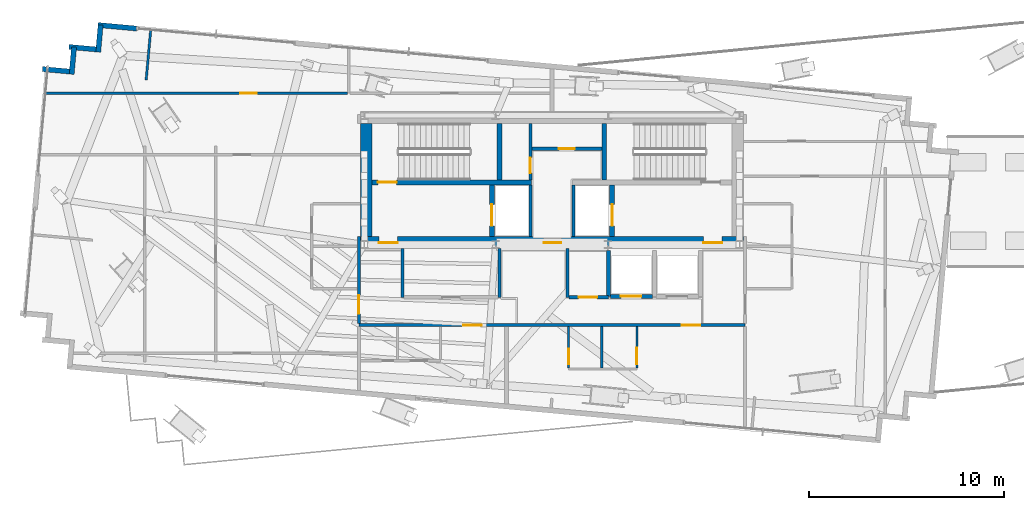
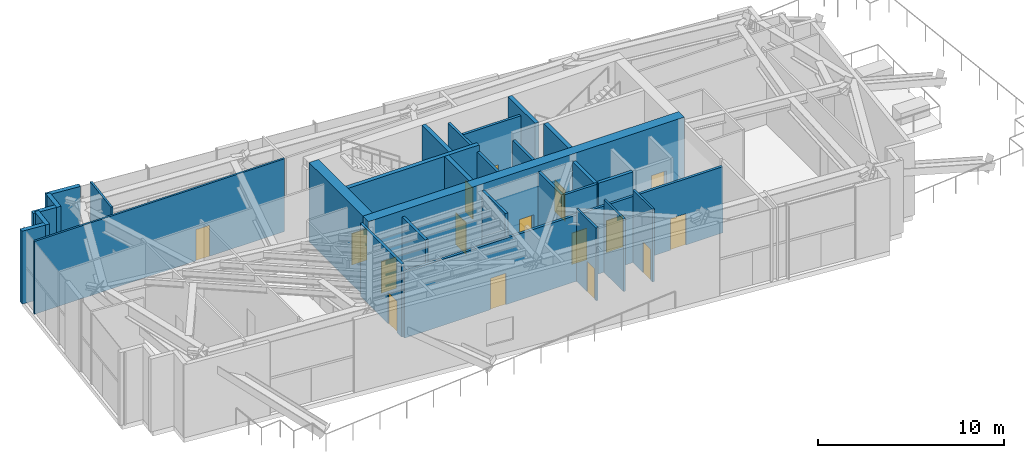
# One storey, part 14 of 20: 29 walls, 16 doors, 16 openings.
"""IFC4 building model written with IfcOpenShell, lengths in metres."""

from ifc_helpers import new_model, si_unit, direction, frame, frame_2d, origin, place, context, subcontext, project, spatial, rectangle, extrude, source, transform, mapped, material, layer, layer_set, type_object, type_shapes, element, fill, save


model = new_model("IFC4")

# Units and contexts
model_context = context("Model", 3, precision=1e-05, world=origin(), true_north=direction((0.0, 1.0)))
body_context = subcontext(model_context, "Body", "Model", "MODEL_VIEW")
ifc_project = project(units=[si_unit("LENGTHUNIT", "METRE"), si_unit("AREAUNIT", "SQUARE_METRE"), si_unit("VOLUMEUNIT", "CUBIC_METRE"), si_unit("PLANEANGLEUNIT", "RADIAN"), si_unit("MASSUNIT", "GRAM", prefix="KILO")], contexts=[model_context])

# Site, building, storey
site_placement = place(None, origin())
site = spatial("IfcSite", under=ifc_project, at=site_placement, CompositionType="ELEMENT")
building_placement = place(site_placement, origin())
building = spatial("IfcBuilding", under=site, at=building_placement, Name="Astriad Promenade Condominiums", CompositionType="ELEMENT")
storey_placement = place(building_placement, frame((0.0, 0.0, 211.39990234375)))
storey = spatial("IfcBuildingStorey", under=building, at=storey_placement, Name="L61", CompositionType="ELEMENT", Elevation=211.39990234375)

# Wall, openings, doors
ifc_material_1 = material(Name="Concrete C50/60", Category="concrete")
ifc_layer_1 = layer(ifc_material_1, 0.60009765625)
ifc_layer_set_1 = layer_set([ifc_layer_1], Name="Concrete C50/60")
wall_type_1 = type_object("IfcWallType", Name="CW-SHEAR-600", PredefinedType="SHEAR", material=ifc_layer_set_1)
wall_1_placement = place(storey_placement, frame((26.199951171875, 17.5, 0.0), z_axis=(0.0, 0.0, 1.0), x_axis=(1.0, 0.0, 0.0)))
wall_1 = element("IfcWall", 1, at=wall_1_placement, inside=storey, type_object=wall_type_1, Name="CW-CORE-S-L61", PredefinedType="SHEAR", context=body_context, shape_type="SweptSolid", body=[
    extrude(rectangle(XDim=19.60009765625, YDim=0.60009765625, at=frame_2d((9.800048828125, 0.0))), origin(), (0.0, 0.0, 1.0), 5.2001953125),
])
opening_1_placement = place(wall_1_placement, frame((0.949951171875, 0.0, 0.0)))
opening_1 = element("IfcOpeningElement", 2, at=opening_1_placement, cuts=wall_1, Name="Opening FD90-ST-095", PredefinedType="OPENING", context=body_context, shape_type="SweptSolid", body=[
    extrude(rectangle(XDim=0.949951171875, YDim=2.06005859375, at=frame_2d((0.47509765625, 1.030029296875))), frame((0.0, 0.31005859375, 0.0), z_axis=(0.0, -1.0, 0.0), x_axis=(1.0, 0.0, 0.0)), (0.0, 0.0, 1.0), 0.6201171875),
])
opening_2_placement = place(wall_1_placement, frame((9.3798828125, 0.0, 0.0)))
opening_2 = element("IfcOpeningElement", 3, at=opening_2_placement, cuts=wall_1, Name="Opening FD60-CSL-090", PredefinedType="OPENING", context=body_context, shape_type="SweptSolid", body=[
    extrude(rectangle(XDim=0.89990234375, YDim=2.06005859375, at=frame_2d((0.449951171875, 1.030029296875))), frame((0.0, 0.31005859375, 0.0), z_axis=(0.0, -1.0, 0.0), x_axis=(1.0, 0.0, 0.0)), (0.0, 0.0, 1.0), 0.6201171875),
])
opening_3_placement = place(wall_1_placement, frame((17.550048828125, 0.0, 0.0)))
opening_3 = element("IfcOpeningElement", 4, at=opening_3_placement, cuts=wall_1, Name="Opening FD90-ST-095", PredefinedType="OPENING", context=body_context, shape_type="SweptSolid", body=[
    extrude(rectangle(XDim=0.949951171875, YDim=2.06005859375, at=frame_2d((0.47509765625, 1.030029296875))), frame((0.0, 0.31005859375, 0.0), z_axis=(0.0, -1.0, 0.0), x_axis=(1.0, 0.0, 0.0)), (0.0, 0.0, 1.0), 0.6201171875),
])
ifc_material_2 = material(Name="Fire-Rated Hollow Metal Stair Door")
door_type_1 = type_object("IfcDoorType", Name="FD90-ST-095", OperationType="NOTDEFINED", PredefinedType="DOOR", material=ifc_material_2)
shared_shape_1 = source(origin(), body_context, "Body", "SweptSolid", [
    extrude(rectangle(XDim=0.949951171875, YDim=2.06005859375, at=frame_2d((0.47509765625, 1.030029296875))), frame((0.0, 0.02490234375, 0.0), z_axis=(0.0, -1.0, 0.0), x_axis=(1.0, 0.0, 0.0)), (0.0, 0.0, 1.0), 0.050048828125),
])
type_shapes(door_type_1, [shared_shape_1])
door_1_placement = place(opening_1_placement, origin())
door_1 = element("IfcDoor", 5, at=door_1_placement, inside=storey, type_object=door_type_1, Name="D-FFW-L61", OperationType="SINGLE_SWING_LEFT", OverallHeight=2.06005859375, OverallWidth=0.949951171875, PredefinedType="DOOR", context=body_context, shape_type="MappedRepresentation", body=[
    mapped(shared_shape_1, transform((0.0, 0.0, 0.0), scale=1.0)),
])
fill(opening_1, door_1)
door_2_placement = place(opening_3_placement, origin())
door_2 = element("IfcDoor", 6, at=door_2_placement, inside=storey, type_object=door_type_1, Name="D-FFE-L61", OperationType="SINGLE_SWING_RIGHT", OverallHeight=2.06005859375, OverallWidth=0.949951171875, PredefinedType="DOOR", context=body_context, shape_type="MappedRepresentation", body=[
    mapped(shared_shape_1, transform((0.0, 0.0, 0.0), scale=1.0)),
])
fill(opening_3, door_2)
ifc_material_3 = material(Name="Fire-Rated Service Lobby Door")
door_type_2 = type_object("IfcDoorType", Name="FD60-CSL-090", OperationType="NOTDEFINED", PredefinedType="DOOR", material=ifc_material_3)
shared_shape_2 = source(origin(), body_context, "Body", "SweptSolid", [
    extrude(rectangle(XDim=0.89990234375, YDim=2.06005859375, at=frame_2d((0.449951171875, 1.030029296875))), frame((0.0, 0.02490234375, 0.0), z_axis=(0.0, -1.0, 0.0), x_axis=(1.0, 0.0, 0.0)), (0.0, 0.0, 1.0), 0.050048828125),
])
type_shapes(door_type_2, [shared_shape_2])
door_3_placement = place(opening_2_placement, origin())
door_3 = element("IfcDoor", 7, at=door_3_placement, inside=storey, type_object=door_type_2, Name="D-CSL-L61", OperationType="SINGLE_SWING_RIGHT", OverallHeight=2.06005859375, OverallWidth=0.89990234375, PredefinedType="DOOR", context=body_context, shape_type="MappedRepresentation", body=[
    mapped(shared_shape_2, transform((0.0, 0.0, 0.0), scale=1.0)),
])
fill(opening_2, door_3)

# Wall
wall_2_placement = place(storey_placement, frame((26.5, 17.802001953125, 0.0), z_axis=(0.0, 0.0, 1.0), x_axis=(0.0, 1.0, 0.0)))
element("IfcWall", 8, at=wall_2_placement, inside=storey, type_object=wall_type_1, Name="CW-CORE-W-L61", PredefinedType="SHEAR", context=body_context, shape_type="SweptSolid", body=[
    extrude(rectangle(XDim=5.7958984375, YDim=0.60009765625, at=frame_2d((2.89794921875, 0.0))), origin(), (0.0, 0.0, 1.0), 5.2001953125),
])

# Wall, opening, door
ifc_layer_2 = layer(ifc_material_1, 0.25)
ifc_layer_set_2 = layer_set([ifc_layer_2], Name="Concrete C50/60")
wall_type_2 = type_object("IfcWallType", Name="WALL-CORE-INT-250", PredefinedType="SOLIDWALL", material=ifc_layer_set_2)
wall_3_placement = place(storey_placement, frame((26.802001953125, 20.574951171875, 0.0), z_axis=(0.0, 0.0, 1.0), x_axis=(1.0, 0.0, 0.0)))
wall_3 = element("IfcWall", 9, at=wall_3_placement, inside=storey, type_object=wall_type_2, Name="CW-INT-H1-L61", PredefinedType="SOLIDWALL", context=body_context, shape_type="SweptSolid", body=[
    extrude(rectangle(XDim=8.14794921875, YDim=0.25, at=frame_2d((4.073974609375, 0.0))), origin(), (0.0, 0.0, 1.0), 5.2001953125),
])
opening_4_placement = place(wall_3_placement, frame((0.298095703125, 0.0, 0.0)))
opening_4 = element("IfcOpeningElement", 10, at=opening_4_placement, cuts=wall_3, Name="Opening FD90-ST-095", PredefinedType="OPENING", context=body_context, shape_type="SweptSolid", body=[
    extrude(rectangle(XDim=0.949951171875, YDim=2.06005859375, at=frame_2d((0.47509765625, 1.030029296875))), frame((0.0, 0.135009765625, 0.0), z_axis=(0.0, -1.0, 0.0), x_axis=(1.0, 0.0, 0.0)), (0.0, 0.0, 1.0), 0.27001953125),
])
door_4_placement = place(opening_4_placement, origin())
door_4 = element("IfcDoor", 11, at=door_4_placement, inside=storey, type_object=door_type_1, Name="D-ST1-L61", OperationType="SINGLE_SWING_LEFT", OverallHeight=2.06005859375, OverallWidth=0.949951171875, PredefinedType="DOOR", context=body_context, shape_type="MappedRepresentation", body=[
    mapped(shared_shape_1, transform((0.0, 0.0, 0.0), scale=1.0)),
])
fill(opening_4, door_4)

# Walls
for number, where, z_axis, x_axis, name in (
    (12, (33.324951171875, 20.701904296875, 0.0), (0.0, 0.0, 1.0), (0.0, 1.0, 0.0), "CW-ST1-E-L61"),
    (13, (38.675048828125, 20.701904296875, 0.0), (0.0, 0.0, 1.0), (0.0, 1.0, 0.0), "CW-ST2-W-L61"),
):
    element("IfcWall", number, at=place(storey_placement, frame(where, z_axis=z_axis, x_axis=x_axis)), inside=storey, type_object=wall_type_2, Name=name, PredefinedType="SOLIDWALL", context=body_context, shape_type="SweptSolid", body=[
        extrude(rectangle(XDim=2.89599609375, YDim=0.25, at=frame_2d((1.447998046875, 0.0))), origin(), (0.0, 0.0, 1.0), 5.2001953125),
    ])

# Wall, opening, door
wall_4_placement = place(storey_placement, frame((32.925048828125, 17.802001953125, 0.0), z_axis=(0.0, 0.0, 1.0), x_axis=(0.0, 1.0, 0.0)))
wall_4 = element("IfcWall", 14, at=wall_4_placement, inside=storey, type_object=wall_type_2, Name="CW-FFL1-W-L61", PredefinedType="SOLIDWALL", context=body_context, shape_type="SweptSolid", body=[
    extrude(rectangle(XDim=2.64599609375, YDim=0.25, at=frame_2d((1.322998046875, 0.0))), origin(), (0.0, 0.0, 1.0), 5.2001953125),
])
opening_5_placement = place(wall_4_placement, frame((0.548095703125, 0.0, 0.0)))
opening_5 = element("IfcOpeningElement", 15, at=opening_5_placement, cuts=wall_4, Name="Opening LD-FFL-1122", PredefinedType="OPENING", context=body_context, shape_type="SweptSolid", body=[
    extrude(rectangle(XDim=1.10009765625, YDim=2.080078125, at=frame_2d((0.550048828125, 1.0400390625))), frame((0.0, 0.135009765625, 0.0), z_axis=(0.0, -1.0, 0.0), x_axis=(1.0, 0.0, 0.0)), (0.0, 0.0, 1.0), 0.27001953125),
])
ifc_material_4 = material(Name="Brushed Stainless Steel Fire Elevator Landing Door", Category="steel")
door_type_3 = type_object("IfcDoorType", Name="LD-FFL-1122", OperationType="NOTDEFINED", PredefinedType="DOOR", material=ifc_material_4)
shared_shape_3 = source(origin(), body_context, "Body", "SweptSolid", [
    extrude(rectangle(XDim=1.10009765625, YDim=2.080078125, at=frame_2d((0.550048828125, 1.0400390625))), frame((0.0, 0.02490234375, 0.0), z_axis=(0.0, -1.0, 0.0), x_axis=(1.0, 0.0, 0.0)), (0.0, 0.0, 1.0), 0.050048828125),
])
type_shapes(door_type_3, [shared_shape_3])
door_5_placement = place(opening_5_placement, origin())
door_5 = element("IfcDoor", 16, at=door_5_placement, inside=storey, type_object=door_type_3, Name="Elevator Landing Door FFL-1 (L61)", OperationType="SLIDING_TO_LEFT", OverallHeight=2.080078125, OverallWidth=1.10009765625, PredefinedType="DOOR", context=body_context, shape_type="MappedRepresentation", body=[
    mapped(shared_shape_3, transform((0.0, 0.0, 0.0), scale=1.0)),
])
fill(opening_5, door_5)

wall_5_placement = place(storey_placement, frame((39.074951171875, 17.802001953125, 0.0), z_axis=(0.0, 0.0, 1.0), x_axis=(0.0, 1.0, 0.0)))
wall_5 = element("IfcWall", 17, at=wall_5_placement, inside=storey, type_object=wall_type_2, Name="CW-FFL2-E-L61", PredefinedType="SOLIDWALL", context=body_context, shape_type="SweptSolid", body=[
    extrude(rectangle(XDim=2.64599609375, YDim=0.25, at=frame_2d((1.322998046875, 0.0))), origin(), (0.0, 0.0, 1.0), 5.2001953125),
])
opening_6_placement = place(wall_5_placement, frame((0.548095703125, 0.0, 0.0)))
opening_6 = element("IfcOpeningElement", 18, at=opening_6_placement, cuts=wall_5, Name="Opening LD-FFL-1122", PredefinedType="OPENING", context=body_context, shape_type="SweptSolid", body=[
    extrude(rectangle(XDim=1.10009765625, YDim=2.080078125, at=frame_2d((0.550048828125, 1.0400390625))), frame((0.0, 0.135009765625, 0.0), z_axis=(0.0, -1.0, 0.0), x_axis=(1.0, 0.0, 0.0)), (0.0, 0.0, 1.0), 0.27001953125),
])
door_6_placement = place(opening_6_placement, origin())
door_6 = element("IfcDoor", 19, at=door_6_placement, inside=storey, type_object=door_type_3, Name="Elevator Landing Door FFL-2 (L61)", OperationType="SLIDING_TO_RIGHT", OverallHeight=2.080078125, OverallWidth=1.10009765625, PredefinedType="DOOR", context=body_context, shape_type="MappedRepresentation", body=[
    mapped(shared_shape_3, transform((0.0, 0.0, 0.0), scale=1.0)),
])
fill(opening_6, door_6)

# Walls
ifc_material_5 = material(Name="Fire-Rated Gypsum Partition")
ifc_layer_3 = layer(ifc_material_5, 0.159912109375)
ifc_layer_set_3 = layer_set([ifc_layer_3], Name="Fire-Rated Gypsum Partition")
wall_type_3 = type_object("IfcWallType", Name="WALL-CORR-160", PredefinedType="PARTITIONING", material=ifc_layer_set_3)
for number, where, z_axis, x_axis, name in (
    (20, (34.89990234375, 17.802001953125, 0.0), (0.0, 0.0, 1.0), (0.0, 1.0, 0.0), "CW-FFL1-E-L61"),
    (21, (37.10009765625, 17.802001953125, 0.0), (0.0, 0.0, 1.0), (0.0, 1.0, 0.0), "CW-FFL2-W-L61"),
):
    element("IfcWall", number, at=place(storey_placement, frame(where, z_axis=z_axis, x_axis=x_axis)), inside=storey, type_object=wall_type_3, Name=name, PredefinedType="PARTITIONING", context=body_context, shape_type="SweptSolid", body=[
        extrude(rectangle(XDim=2.64599609375, YDim=0.159912109375, at=frame_2d((1.322998046875, 0.0))), origin(), (0.0, 0.0, 1.0), 4.780029296875),
    ])

# Wall, opening, door
wall_6_placement = place(storey_placement, frame((34.89990234375, 20.701904296875, 0.0), z_axis=(0.0, 0.0, 1.0), x_axis=(0.0, 1.0, 0.0)))
wall_6 = element("IfcWall", 22, at=wall_6_placement, inside=storey, type_object=wall_type_3, Name="CW-AUX-W-L61", PredefinedType="PARTITIONING", context=body_context, shape_type="SweptSolid", body=[
    extrude(rectangle(XDim=2.89599609375, YDim=0.159912109375, at=frame_2d((1.447998046875, 0.0))), origin(), (0.0, 0.0, 1.0), 4.780029296875),
])
opening_7_placement = place(wall_6_placement, frame((0.347900390625, 0.0, 0.0)))
opening_7 = element("IfcOpeningElement", 23, at=opening_7_placement, cuts=wall_6, Name="Opening FD60-SV-080", PredefinedType="OPENING", context=body_context, shape_type="SweptSolid", body=[
    extrude(rectangle(XDim=0.800048828125, YDim=2.050048828125, at=frame_2d((0.39990234375, 1.02490234375))), frame((0.0, 0.08984375, 0.0), z_axis=(0.0, -1.0, 0.0), x_axis=(1.0, 0.0, 0.0)), (0.0, 0.0, 1.0), 0.179931640625),
])
ifc_material_6 = material(Name="Fire-Rated Riser Closet Door")
door_type_4 = type_object("IfcDoorType", Name="FD60-SV-080", OperationType="NOTDEFINED", PredefinedType="DOOR", material=ifc_material_6)
shared_shape_4 = source(origin(), body_context, "Body", "SweptSolid", [
    extrude(rectangle(XDim=0.800048828125, YDim=2.050048828125, at=frame_2d((0.39990234375, 1.02490234375))), frame((0.0, 0.02490234375, 0.0), z_axis=(0.0, -1.0, 0.0), x_axis=(1.0, 0.0, 0.0)), (0.0, 0.0, 1.0), 0.050048828125),
])
type_shapes(door_type_4, [shared_shape_4])
door_7_placement = place(opening_7_placement, origin())
door_7 = element("IfcDoor", 24, at=door_7_placement, inside=storey, type_object=door_type_4, Name="D-AUX1-L61", OperationType="SINGLE_SWING_LEFT", OverallHeight=2.050048828125, OverallWidth=0.800048828125, PredefinedType="DOOR", context=body_context, shape_type="MappedRepresentation", body=[
    mapped(shared_shape_4, transform((0.0, 0.0, 0.0), scale=1.0)),
])
fill(opening_7, door_7)

wall_7_placement = place(storey_placement, frame((34.98193359375, 22.300048828125, 0.0), z_axis=(0.0, 0.0, 1.0), x_axis=(1.0, 0.0, 0.0)))
wall_7 = element("IfcWall", 25, at=wall_7_placement, inside=storey, type_object=wall_type_3, Name="CW-AUX-N-L61", PredefinedType="PARTITIONING", context=body_context, shape_type="SweptSolid", body=[
    extrude(rectangle(XDim=3.566162109375, YDim=0.159912109375, at=frame_2d((1.783203125, 0.0))), origin(), (0.0, 0.0, 1.0), 4.780029296875),
])
opening_8_placement = place(wall_7_placement, frame((1.3779296875, 0.0, 0.0)))
opening_8 = element("IfcOpeningElement", 26, at=opening_8_placement, cuts=wall_7, Name="Opening FD60-SV-080", PredefinedType="OPENING", context=body_context, shape_type="SweptSolid", body=[
    extrude(rectangle(XDim=0.800048828125, YDim=2.050048828125, at=frame_2d((0.39990234375, 1.02490234375))), frame((0.0, 0.08984375, 0.0), z_axis=(0.0, -1.0, 0.0), x_axis=(1.0, 0.0, 0.0)), (0.0, 0.0, 1.0), 0.179931640625),
])
door_8_placement = place(opening_8_placement, origin())
door_8 = element("IfcDoor", 27, at=door_8_placement, inside=storey, type_object=door_type_4, Name="D-AUX2-L61", OperationType="SINGLE_SWING_RIGHT", OverallHeight=2.050048828125, OverallWidth=0.800048828125, PredefinedType="DOOR", context=body_context, shape_type="MappedRepresentation", body=[
    mapped(shared_shape_4, transform((0.0, 0.0, 0.0), scale=1.0)),
])
fill(opening_8, door_8)

# Wall, openings, doors
wall_8_placement = place(storey_placement, frame((26.1201171875, 13.280029296875, 0.0), z_axis=(0.0, 0.0, 1.0), x_axis=(1.0, 0.0, 0.0)))
wall_8 = element("IfcWall", 28, at=wall_8_placement, inside=storey, type_object=wall_type_3, Name="PT-COR-S-L61", PredefinedType="PARTITIONING", context=body_context, shape_type="SweptSolid", body=[
    extrude(rectangle(XDim=19.759765625, YDim=0.159912109375, at=frame_2d((9.8798828125, 0.0))), origin(), (0.0, 0.0, 1.0), 4.3447265625),
])
opening_9_placement = place(wall_8_placement, frame((5.344970703125, 0.0, 0.0)))
opening_9 = element("IfcOpeningElement", 29, at=opening_9_placement, cuts=wall_8, Name="Opening FD60-APT-095", PredefinedType="OPENING", context=body_context, shape_type="SweptSolid", body=[
    extrude(rectangle(XDim=0.949951171875, YDim=2.06005859375, at=frame_2d((0.47509765625, 1.030029296875))), frame((0.0, 0.08984375, 0.0), z_axis=(0.0, -1.0, 0.0), x_axis=(1.0, 0.0, 0.0)), (0.0, 0.0, 1.0), 0.179931640625),
])
opening_10_placement = place(wall_8_placement, frame((16.52001953125, 0.0, 0.0)))
opening_10 = element("IfcOpeningElement", 30, at=opening_10_placement, cuts=wall_8, Name="Opening FD60-APT-095", PredefinedType="OPENING", context=body_context, shape_type="SweptSolid", body=[
    extrude(rectangle(XDim=0.949951171875, YDim=2.06005859375, at=frame_2d((0.47509765625, 1.030029296875))), frame((0.0, 0.08984375, 0.0), z_axis=(0.0, -1.0, 0.0), x_axis=(1.0, 0.0, 0.0)), (0.0, 0.0, 1.0), 0.179931640625),
])
ifc_material_7 = material(Name="Solid-Core Acoustic Timber Residence Entry Door", Category="wood")
door_type_5 = type_object("IfcDoorType", Name="FD60-APT-095", OperationType="NOTDEFINED", PredefinedType="DOOR", material=ifc_material_7)
shared_shape_5 = source(origin(), body_context, "Body", "SweptSolid", [
    extrude(rectangle(XDim=0.949951171875, YDim=2.06005859375, at=frame_2d((0.47509765625, 1.030029296875))), frame((0.0, 0.02490234375, 0.0), z_axis=(0.0, -1.0, 0.0), x_axis=(1.0, 0.0, 0.0)), (0.0, 0.0, 1.0), 0.050048828125),
])
type_shapes(door_type_5, [shared_shape_5])
door_9_placement = place(opening_9_placement, origin())
door_9 = element("IfcDoor", 31, at=door_9_placement, inside=storey, type_object=door_type_5, Name="D-ENT-L61-S1", OperationType="SINGLE_SWING_LEFT", OverallHeight=2.06005859375, OverallWidth=0.949951171875, PredefinedType="DOOR", context=body_context, shape_type="MappedRepresentation", body=[
    mapped(shared_shape_5, transform((0.0, 0.0, 0.0), scale=1.0)),
])
fill(opening_9, door_9)
door_10_placement = place(opening_10_placement, origin())
door_10 = element("IfcDoor", 32, at=door_10_placement, inside=storey, type_object=door_type_5, Name="D-ENT-L61-S2", OperationType="SINGLE_SWING_RIGHT", OverallHeight=2.06005859375, OverallWidth=0.949951171875, PredefinedType="DOOR", context=body_context, shape_type="MappedRepresentation", body=[
    mapped(shared_shape_5, transform((0.0, 0.0, 0.0), scale=1.0)),
])
fill(opening_10, door_10)

# Wall, opening, door
wall_9_placement = place(storey_placement, frame((26.1201171875, 13.362060546875, 0.0), z_axis=(0.0, 0.0, 1.0), x_axis=(0.0, 1.0, 0.0)))
wall_9 = element("IfcWall", 33, at=wall_9_placement, inside=storey, type_object=wall_type_3, Name="PT-COR-W-L61-S2", PredefinedType="PARTITIONING", context=body_context, shape_type="SweptSolid", body=[
    extrude(rectangle(XDim=4.43994140625, YDim=0.159912109375, at=frame_2d((2.219970703125, 0.0))), origin(), (0.0, 0.0, 1.0), 4.780029296875),
])
opening_11_placement = place(wall_9_placement, frame((0.492919921875, 0.0, 0.0)))
opening_11 = element("IfcOpeningElement", 34, at=opening_11_placement, cuts=wall_9, Name="Opening FD60-APT-095", PredefinedType="OPENING", context=body_context, shape_type="SweptSolid", body=[
    extrude(rectangle(XDim=0.949951171875, YDim=2.06005859375, at=frame_2d((0.47509765625, 1.030029296875))), frame((0.0, 0.08984375, 0.0), z_axis=(0.0, -1.0, 0.0), x_axis=(1.0, 0.0, 0.0)), (0.0, 0.0, 1.0), 0.179931640625),
])
door_11_placement = place(opening_11_placement, origin())
door_11 = element("IfcDoor", 35, at=door_11_placement, inside=storey, type_object=door_type_5, Name="D-ENT-L61-W1", OperationType="SINGLE_SWING_LEFT", OverallHeight=2.06005859375, OverallWidth=0.949951171875, PredefinedType="DOOR", context=body_context, shape_type="MappedRepresentation", body=[
    mapped(shared_shape_5, transform((0.0, 0.0, 0.0), scale=1.0)),
])
fill(opening_11, door_11)

# Walls
for number, where, z_axis, x_axis, name in (
    (36, (28.360107421875, 14.699951171875, 0.0), (0.0, 0.0, 1.0), (0.0, 1.0, 0.0), "PT-Z3REC-W-L61"),
    (37, (33.320068359375, 14.699951171875, 0.0), (0.0, 0.0, 1.0), (0.0, 1.0, 0.0), "PT-Z3REC-E-L61"),
    (38, (36.800048828125, 14.699951171875, 0.0), (0.0, 0.0, 1.0), (0.0, 1.0, 0.0), "PT-Z3R2-W-L61"),
):
    element("IfcWall", number, at=place(storey_placement, frame(where, z_axis=z_axis, x_axis=x_axis)), inside=storey, type_object=wall_type_3, Name=name, PredefinedType="PARTITIONING", context=body_context, shape_type="SweptSolid", body=[
        extrude(rectangle(XDim=2.498046875, YDim=0.159912109375, at=frame_2d((1.2490234375, 0.0))), origin(), (0.0, 0.0, 1.0), 4.780029296875),
    ])

# Wall, opening, door
wall_10_placement = place(storey_placement, frame((36.882080078125, 14.699951171875, 0.0), z_axis=(0.0, 0.0, 1.0), x_axis=(1.0, 0.0, 0.0)))
wall_10 = element("IfcWall", 39, at=wall_10_placement, inside=storey, type_object=wall_type_3, Name="PT-Z3R2-S-L61", PredefinedType="PARTITIONING", context=body_context, shape_type="SweptSolid", body=[
    extrude(rectangle(XDim=2.017822265625, YDim=0.159912109375, at=frame_2d((1.0087890625, 0.0))), origin(), (0.0, 0.0, 1.0), 4.780029296875),
])
opening_12_placement = place(wall_10_placement, frame((0.48291015625, 0.0, 0.0)))
opening_12 = element("IfcOpeningElement", 40, at=opening_12_placement, cuts=wall_10, Name="Opening FD60-APT-095", PredefinedType="OPENING", context=body_context, shape_type="SweptSolid", body=[
    extrude(rectangle(XDim=0.949951171875, YDim=2.06005859375, at=frame_2d((0.47509765625, 1.030029296875))), frame((0.0, 0.08984375, 0.0), z_axis=(0.0, -1.0, 0.0), x_axis=(1.0, 0.0, 0.0)), (0.0, 0.0, 1.0), 0.179931640625),
])
door_12_placement = place(opening_12_placement, origin())
door_12 = element("IfcDoor", 41, at=door_12_placement, inside=storey, type_object=door_type_5, Name="D-Z3N-L61", OperationType="SINGLE_SWING_LEFT", OverallHeight=2.06005859375, OverallWidth=0.949951171875, PredefinedType="DOOR", context=body_context, shape_type="MappedRepresentation", body=[
    mapped(shared_shape_5, transform((0.0, 0.0, 0.0), scale=1.0)),
])
fill(opening_12, door_12)

# Walls
ifc_material_8 = material(Name="Precast concrete C50/60", Category="concrete")
ifc_layer_4 = layer(ifc_material_8, 0.260009765625)
ifc_layer_set_4 = layer_set([ifc_layer_4], Name="Precast concrete C50/60")
wall_type_4 = type_object("IfcWallType", Name="WALL-EXT-TWR-260", PredefinedType="STANDARD", material=ifc_layer_set_4)
for number, where, z_axis, x_axis, name in (
    (42, (9.93505859375, 26.376708984375, 0.0), (0.0, 0.0, 1.0), (0.995881721538, -0.090661991521, 0.0), "W-SER-L61-04"),
    (43, (11.427001953125, 26.110595703125, 0.0), (0.0, 0.0, 1.0), (0.090835571917, 0.995865904063, 0.0), "W-SER-L61-05"),
):
    element("IfcWall", number, at=place(storey_placement, frame(where, z_axis=z_axis, x_axis=x_axis)), inside=storey, type_object=wall_type_4, Name=name, PredefinedType="STANDARD", context=body_context, shape_type="SweptSolid", body=[
        extrude(rectangle(XDim=1.39501953125, YDim=0.260009765625, at=frame_2d((0.697509765625, 0.0))), origin(), (0.0, 0.0, 1.0), 4.780029296875),
    ])
wall_11_placement = place(storey_placement, frame((11.293212890625, 27.50830078125, 0.0), z_axis=(0.0, 0.0, 1.0), x_axis=(0.995883159782, -0.090646191665, 0.0)))
element("IfcWall", 44, at=wall_11_placement, inside=storey, type_object=wall_type_4, Name="W-SER-L61-06", PredefinedType="STANDARD", context=body_context, shape_type="SweptSolid", body=[
    extrude(rectangle(XDim=1.395263671875, YDim=0.260009765625, at=frame_2d((0.69775390625, 0.0))), origin(), (0.0, 0.0, 1.0), 4.780029296875),
])
wall_12_placement = place(storey_placement, frame((12.785400390625, 27.241943359375, 0.0), z_axis=(0.0, 0.0, 1.0), x_axis=(0.090472632758, 0.995898942023, 0.0)))
element("IfcWall", 45, at=wall_12_placement, inside=storey, type_object=wall_type_4, Name="W-SER-L61-07", PredefinedType="STANDARD", context=body_context, shape_type="SweptSolid", body=[
    extrude(rectangle(XDim=1.39501953125, YDim=0.260009765625, at=frame_2d((0.697509765625, 0.0))), origin(), (0.0, 0.0, 1.0), 4.780029296875),
])
wall_13_placement = place(storey_placement, frame((12.78076171875, 28.628173828125, 0.0), z_axis=(0.0, 0.0, 1.0), x_axis=(0.995879187782, -0.090689819405, 0.0)))
element("IfcWall", 46, at=wall_13_placement, inside=storey, type_object=wall_type_4, Name="W-SGCOL-L61-N-1", PredefinedType="STANDARD", context=body_context, shape_type="SweptSolid", body=[
    extrude(rectangle(XDim=2.000244140625, YDim=0.260009765625, at=frame_2d((1.0, 0.0))), origin(), (0.0, 0.0, 1.0), 4.780029296875),
])

# Wall, opening, door
ifc_material_9 = material(Name="Acoustic Metal-Stud Gypsum Partition")
ifc_layer_5 = layer(ifc_material_9, 0.1201171875)
ifc_layer_set_5 = layer_set([ifc_layer_5], Name="Acoustic Metal-Stud Gypsum Partition")
wall_type_5 = type_object("IfcWallType", Name="WALL-PART-120", PredefinedType="PARTITIONING", material=ifc_layer_set_5)
wall_14_placement = place(storey_placement, frame((36.85009765625, 11.092041015625, 0.0), z_axis=(0.0, 0.0, 1.0), x_axis=(0.0, 1.0, 0.0)))
wall_14 = element("IfcWall", 47, at=wall_14_placement, inside=storey, type_object=wall_type_5, Name="PT-L61-S2-PW", PredefinedType="PARTITIONING", context=body_context, shape_type="SweptSolid", body=[
    extrude(rectangle(XDim=2.10595703125, YDim=0.1201171875, at=frame_2d((1.052978515625, 0.0))), origin(), (0.0, 0.0, 1.0), 4.780029296875),
])
opening_13_placement = place(wall_14_placement, frame((0.179931640625, 0.0, 0.0)))
opening_13 = element("IfcOpeningElement", 48, at=opening_13_placement, cuts=wall_14, Name="Opening D-WET-080", PredefinedType="OPENING", context=body_context, shape_type="SweptSolid", body=[
    extrude(rectangle(XDim=0.800048828125, YDim=2.02001953125, at=frame_2d((0.39990234375, 1.010009765625))), frame((0.0, 0.070068359375, 0.0), z_axis=(0.0, -1.0, 0.0), x_axis=(1.0, 0.0, 0.0)), (0.0, 0.0, 1.0), 0.14013671875),
])
ifc_material_10 = material(Name="Moisture-Resistant Timber Bathroom Door", Category="wood")
door_type_6 = type_object("IfcDoorType", Name="D-WET-080", OperationType="NOTDEFINED", PredefinedType="DOOR", material=ifc_material_10)
shared_shape_6 = source(origin(), body_context, "Body", "SweptSolid", [
    extrude(rectangle(XDim=0.800048828125, YDim=2.02001953125, at=frame_2d((0.39990234375, 1.010009765625))), frame((0.0, 0.02490234375, 0.0), z_axis=(0.0, -1.0, 0.0), x_axis=(1.0, 0.0, 0.0)), (0.0, 0.0, 1.0), 0.050048828125),
])
type_shapes(door_type_6, [shared_shape_6])
door_13_placement = place(opening_13_placement, origin())
door_13 = element("IfcDoor", 49, at=door_13_placement, inside=storey, type_object=door_type_6, Name="D-BTH-L61-S2", OperationType="SINGLE_SWING_LEFT", OverallHeight=2.02001953125, OverallWidth=0.800048828125, PredefinedType="DOOR", context=body_context, shape_type="MappedRepresentation", body=[
    mapped(shared_shape_6, transform((0.0, 0.0, 0.0), scale=1.0)),
])
fill(opening_13, door_13)

# Wall
wall_15_placement = place(storey_placement, frame((38.550048828125, 11.092041015625, 0.0), z_axis=(0.0, 0.0, 1.0), x_axis=(0.0, 1.0, 0.0)))
element("IfcWall", 50, at=wall_15_placement, inside=storey, type_object=wall_type_5, Name="PT-L61-S2-PM", PredefinedType="PARTITIONING", context=body_context, shape_type="SweptSolid", body=[
    extrude(rectangle(XDim=2.10595703125, YDim=0.1201171875, at=frame_2d((1.052978515625, 0.0))), origin(), (0.0, 0.0, 1.0), 4.780029296875),
])

# Wall, opening, door
wall_16_placement = place(storey_placement, frame((40.35009765625, 11.092041015625, 0.0), z_axis=(0.0, 0.0, 1.0), x_axis=(0.0, 1.0, 0.0)))
wall_16 = element("IfcWall", 51, at=wall_16_placement, inside=storey, type_object=wall_type_5, Name="PT-L61-S2-PE", PredefinedType="PARTITIONING", context=body_context, shape_type="SweptSolid", body=[
    extrude(rectangle(XDim=2.10595703125, YDim=0.1201171875, at=frame_2d((1.052978515625, 0.0))), origin(), (0.0, 0.0, 1.0), 4.780029296875),
])
opening_14_placement = place(wall_16_placement, frame((0.179931640625, 0.0, 0.0)))
opening_14 = element("IfcOpeningElement", 52, at=opening_14_placement, cuts=wall_16, Name="Opening D-INT-085", PredefinedType="OPENING", context=body_context, shape_type="SweptSolid", body=[
    extrude(rectangle(XDim=0.85009765625, YDim=2.050048828125, at=frame_2d((0.425048828125, 1.02490234375))), frame((0.0, 0.070068359375, 0.0), z_axis=(0.0, -1.0, 0.0), x_axis=(1.0, 0.0, 0.0)), (0.0, 0.0, 1.0), 0.14013671875),
])
ifc_material_11 = material(Name="Painted Solid-Core Timber Room Door", Category="wood")
door_type_7 = type_object("IfcDoorType", Name="D-INT-085", OperationType="NOTDEFINED", PredefinedType="DOOR", material=ifc_material_11)
shared_shape_7 = source(origin(), body_context, "Body", "SweptSolid", [
    extrude(rectangle(XDim=0.85009765625, YDim=2.050048828125, at=frame_2d((0.425048828125, 1.02490234375))), frame((0.0, 0.02490234375, 0.0), z_axis=(0.0, -1.0, 0.0), x_axis=(1.0, 0.0, 0.0)), (0.0, 0.0, 1.0), 0.050048828125),
])
type_shapes(door_type_7, [shared_shape_7])
door_14_placement = place(opening_14_placement, origin())
door_14 = element("IfcDoor", 53, at=door_14_placement, inside=storey, type_object=door_type_7, Name="D-KIT-L61-S2", OperationType="SINGLE_SWING_RIGHT", OverallHeight=2.050048828125, OverallWidth=0.85009765625, PredefinedType="DOOR", context=body_context, shape_type="MappedRepresentation", body=[
    mapped(shared_shape_7, transform((0.0, 0.0, 0.0), scale=1.0)),
])
fill(opening_14, door_14)

wall_17_placement = place(storey_placement, frame((10.03369140625, 25.14208984375, 0.0), z_axis=(0.0, 0.0, 1.0), x_axis=(1.0, 0.0, 0.0)))
wall_17 = element("IfcWall", 54, at=wall_17_placement, inside=storey, type_object=wall_type_5, Name="PT-L61-W1-B1", PredefinedType="PARTITIONING", context=body_context, shape_type="SweptSolid", body=[
    extrude(rectangle(XDim=15.516357421875, YDim=0.1201171875, at=frame_2d((7.75830078125, 0.0))), origin(), (0.0, 0.0, 1.0), 4.780029296875),
])
opening_15_placement = place(wall_17_placement, frame((10.009521484375, 0.0, 0.0)))
opening_15 = element("IfcOpeningElement", 55, at=opening_15_placement, cuts=wall_17, Name="Opening D-INT-085", PredefinedType="OPENING", context=body_context, shape_type="SweptSolid", body=[
    extrude(rectangle(XDim=0.85009765625, YDim=2.050048828125, at=frame_2d((0.425048828125, 1.02490234375))), frame((0.0, 0.070068359375, 0.0), z_axis=(0.0, -1.0, 0.0), x_axis=(1.0, 0.0, 0.0)), (0.0, 0.0, 1.0), 0.14013671875),
])
door_15_placement = place(opening_15_placement, origin())
door_15 = element("IfcDoor", 56, at=door_15_placement, inside=storey, type_object=door_type_7, Name="D-BD1-L61-W1", OperationType="SINGLE_SWING_RIGHT", OverallHeight=2.050048828125, OverallWidth=0.85009765625, PredefinedType="DOOR", context=body_context, shape_type="MappedRepresentation", body=[
    mapped(shared_shape_7, transform((0.0, 0.0, 0.0), scale=1.0)),
])
fill(opening_15, door_15)

# Walls
wall_18_placement = place(storey_placement, frame((15.2412109375, 25.81201171875, 0.0), z_axis=(0.0, 0.0, 1.0), x_axis=(0.090552476701, 0.995891685357, 0.0)))
element("IfcWall", 57, at=wall_18_placement, inside=storey, type_object=wall_type_5, Name="PT-PIL-L61-PC06-13", PredefinedType="PARTITIONING", context=body_context, shape_type="SweptSolid", body=[
    extrude(rectangle(XDim=2.63134765625, YDim=0.1201171875, at=frame_2d((1.315673828125, 0.0))), origin(), (0.0, 0.0, 1.0), 4.780029296875),
])
ifc_material_12 = material(Name="Gypsum Shaftliner Assembly")
ifc_layer_6 = layer(ifc_material_12, 0.199951171875)
ifc_layer_set_6 = layer_set([ifc_layer_6], Name="Gypsum Shaftliner Assembly")
wall_type_6 = type_object("IfcWallType", Name="WALL-SHAFT-200", PredefinedType="PARTITIONING", material=ifc_layer_set_6)
wall_19_placement = place(storey_placement, frame((38.89990234375, 14.75, 0.0), z_axis=(0.0, 0.0, 1.0), x_axis=(0.0, 1.0, 0.0)))
element("IfcWall", 58, at=wall_19_placement, inside=storey, type_object=wall_type_6, Name="PL-MH-DIV-L61", PredefinedType="PARTITIONING", context=body_context, shape_type="SweptSolid", body=[
    extrude(rectangle(XDim=2.35009765625, YDim=0.199951171875, at=frame_2d((1.175048828125, 0.0))), origin(), (0.0, 0.0, 1.0), 4.780029296875),
])

# Wall, opening, door
wall_20_placement = place(storey_placement, frame((39.001953125, 14.75, 0.0), z_axis=(0.0, 0.0, 1.0), x_axis=(1.0, 0.0, 0.0)))
wall_20 = element("IfcWall", 59, at=wall_20_placement, inside=storey, type_object=wall_type_6, Name="PL-H-FRT-L61", PredefinedType="PARTITIONING", context=body_context, shape_type="SweptSolid", body=[
    extrude(rectangle(XDim=2.14599609375, YDim=0.199951171875, at=frame_2d((1.072998046875, 0.0))), origin(), (0.0, 0.0, 1.0), 4.780029296875),
])
opening_16_placement = place(wall_20_placement, frame((0.52294921875, 0.0, 0.0)))
opening_16 = element("IfcOpeningElement", 60, at=opening_16_placement, cuts=wall_20, Name="Opening LD-PL-10522", PredefinedType="OPENING", context=body_context, shape_type="SweptSolid", body=[
    extrude(rectangle(XDim=1.050048828125, YDim=2.080078125, at=frame_2d((0.52490234375, 1.0400390625))), frame((0.0, 0.10986328125, 0.0), z_axis=(0.0, -1.0, 0.0), x_axis=(1.0, 0.0, 0.0)), (0.0, 0.0, 1.0), 0.219970703125),
])
ifc_material_13 = material(Name="Brushed Bronze Passenger Elevator Landing Door")
door_type_8 = type_object("IfcDoorType", Name="LD-PL-10522", OperationType="NOTDEFINED", PredefinedType="DOOR", material=ifc_material_13)
shared_shape_8 = source(origin(), body_context, "Body", "SweptSolid", [
    extrude(rectangle(XDim=1.050048828125, YDim=2.080078125, at=frame_2d((0.52490234375, 1.0400390625))), frame((0.0, 0.02490234375, 0.0), z_axis=(0.0, -1.0, 0.0), x_axis=(1.0, 0.0, 0.0)), (0.0, 0.0, 1.0), 0.050048828125),
])
type_shapes(door_type_8, [shared_shape_8])
door_16_placement = place(opening_16_placement, origin())
door_16 = element("IfcDoor", 61, at=door_16_placement, inside=storey, type_object=door_type_8, Name="Elevator Landing Door PL-H1 (L61)", OperationType="SLIDING_TO_LEFT", OverallHeight=2.080078125, OverallWidth=1.050048828125, PredefinedType="DOOR", context=body_context, shape_type="MappedRepresentation", body=[
    mapped(shared_shape_8, transform((0.0, 0.0, 0.0), scale=1.0)),
])
fill(opening_16, door_16)

save(model, "model.ifc")
